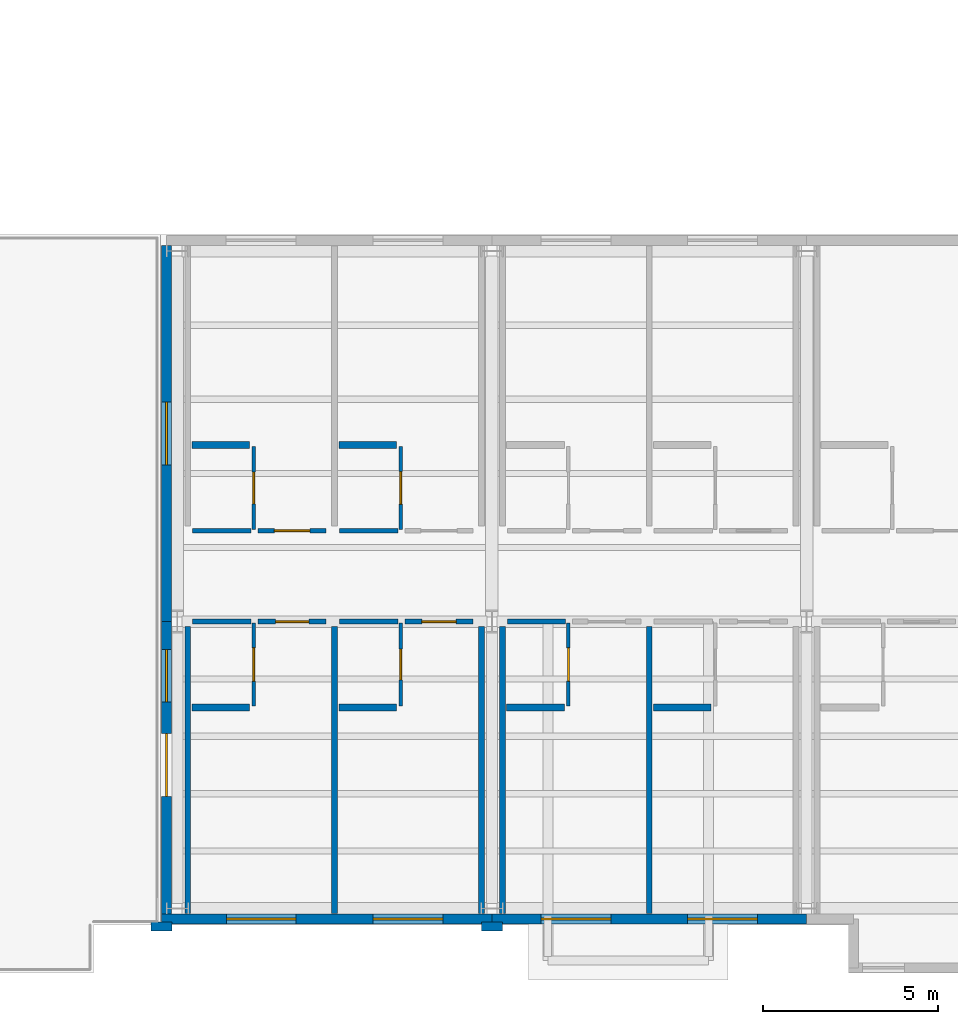
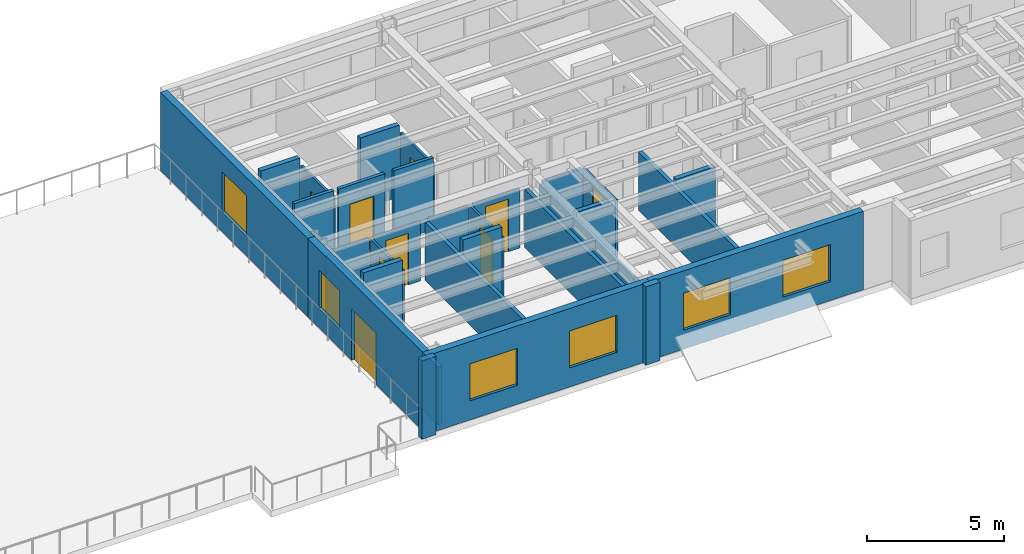
# One storey, part 9 of 23: 30 walls, 9 doors, 6 windows, 15 openings.
"""IFC4 building model written with IfcOpenShell, lengths in metres."""

from ifc_helpers import new_model, si_unit, direction, frame, frame_2d, origin, place, context, subcontext, project, spatial, rectangle, extrude, material, layer, layer_set, type_object, element, fill, save


model = new_model("IFC4")

# Units and contexts
model_context = context("Model", 3, precision=1e-05, world=origin(), true_north=direction((0.0, 1.0)))
body_context = subcontext(model_context, "Body", "Model", "MODEL_VIEW")
ifc_project = project(units=[si_unit("LENGTHUNIT", "METRE"), si_unit("AREAUNIT", "SQUARE_METRE"), si_unit("VOLUMEUNIT", "CUBIC_METRE"), si_unit("PLANEANGLEUNIT", "RADIAN"), si_unit("MASSUNIT", "GRAM", prefix="KILO")], contexts=[model_context])

# Site, building, storey
site_placement = place(None, origin())
site = spatial("IfcSite", under=ifc_project, at=site_placement, CompositionType="ELEMENT")
building_placement = place(site_placement, origin())
building = spatial("IfcBuilding", under=site, at=building_placement, Name="Sollismere Congress Hotel", CompositionType="ELEMENT")
storey_placement = place(building_placement, frame((0.0, 0.0, 30.60009765625)))
storey = spatial("IfcBuildingStorey", under=building, at=storey_placement, Name="L07", CompositionType="ELEMENT", Elevation=30.60009765625)

# Wall, openings, windows
ifc_material_1 = material(Name="Colorado Buff Sandstone Rainscreen on Insulated Backup", Category="masonry")
ifc_layer_1 = layer(ifc_material_1, 0.284912109375, Name="Colorado Buff Sandstone Rainscreen on Insulated Backup")
ifc_layer_set_1 = layer_set([ifc_layer_1], Name="Colorado Buff Sandstone Rainscreen on Insulated Backup")
wall_type_1 = type_object("IfcWallType", Name="WL-EXT285", PredefinedType="STANDARD", material=ifc_layer_set_1)
wall_1_placement = place(storey_placement, frame((66.550048828125, -0.31005859375, 0.0), z_axis=(0.0, 0.0, 1.0), x_axis=(1.0, 0.0, 0.0)))
wall_1 = element("IfcWall", 1, at=wall_1_placement, inside=storey, type_object=wall_type_1, Name="Exterior wall EW-L07-737", PredefinedType="STANDARD", context=body_context, shape_type="SweptSolid", body=[
    extrude(rectangle(XDim=9.449951171875, YDim=0.284912109375, at=frame_2d((4.72509765625, 0.0))), origin(), (0.0, 0.0, 1.0), 3.5),
])
opening_1_placement = place(wall_1_placement, frame((1.85009765625, 0.0, 0.85009765625)))
opening_1 = element("IfcOpeningElement", 2, at=opening_1_placement, cuts=wall_1, Name="Opening W-L07-540", PredefinedType="OPENING", context=body_context, shape_type="SweptSolid", body=[
    extrude(rectangle(XDim=2.0, YDim=1.64990234375, at=frame_2d((1.0, 0.824951171875))), frame((0.0, 0.15234375, 0.0), z_axis=(0.0, -1.0, 0.0), x_axis=(1.0, 0.0, 0.0)), (0.0, 0.0, 1.0), 0.304931640625),
])
opening_2_placement = place(wall_1_placement, frame((6.050048828125, 0.0, 0.85009765625)))
opening_2 = element("IfcOpeningElement", 3, at=opening_2_placement, cuts=wall_1, Name="Opening W-L07-541", PredefinedType="OPENING", context=body_context, shape_type="SweptSolid", body=[
    extrude(rectangle(XDim=2.0, YDim=1.64990234375, at=frame_2d((1.0, 0.824951171875))), frame((0.0, 0.15234375, 0.0), z_axis=(0.0, -1.0, 0.0), x_axis=(1.0, 0.0, 0.0)), (0.0, 0.0, 1.0), 0.304931640625),
])
ifc_material_2 = material(Name="Thermally Broken Bronze Aluminum & Low-E Glass", Category="aluminium")
window_type_1 = type_object("IfcWindowType", Name="WN-P200x165", PartitioningType="SINGLE_PANEL", PredefinedType="WINDOW", material=ifc_material_2)
window_1_placement = place(opening_1_placement, origin())
window_1 = element("IfcWindow", 4, at=window_1_placement, inside=storey, type_object=window_type_1, Name="WIN-W-L07-540", OverallHeight=1.64990234375, OverallWidth=2.0, PartitioningType="SINGLE_PANEL", PredefinedType="WINDOW", context=body_context, shape_type="SweptSolid", body=[
    extrude(rectangle(XDim=2.0, YDim=1.64990234375, at=frame_2d((1.0, 0.824951171875))), frame((0.0, 0.030029296875, 0.0), z_axis=(0.0, -1.0, 0.0), x_axis=(1.0, 0.0, 0.0)), (0.0, 0.0, 1.0), 0.06005859375),
])
fill(opening_1, window_1)
window_2_placement = place(opening_2_placement, origin())
window_2 = element("IfcWindow", 5, at=window_2_placement, inside=storey, type_object=window_type_1, Name="WIN-W-L07-541", OverallHeight=1.64990234375, OverallWidth=2.0, PartitioningType="SINGLE_PANEL", PredefinedType="WINDOW", context=body_context, shape_type="SweptSolid", body=[
    extrude(rectangle(XDim=2.0, YDim=1.64990234375, at=frame_2d((1.0, 0.824951171875))), frame((0.0, 0.030029296875, 0.0), z_axis=(0.0, -1.0, 0.0), x_axis=(1.0, 0.0, 0.0)), (0.0, 0.0, 1.0), 0.06005859375),
])
fill(opening_2, window_2)

wall_2_placement = place(storey_placement, frame((76.0, -0.31005859375, 0.0), z_axis=(0.0, 0.0, 1.0), x_axis=(1.0, 0.0, 0.0)))
wall_2 = element("IfcWall", 6, at=wall_2_placement, inside=storey, type_object=wall_type_1, Name="Exterior wall EW-L07-739", PredefinedType="STANDARD", context=body_context, shape_type="SweptSolid", body=[
    extrude(rectangle(XDim=9.0, YDim=0.284912109375, at=frame_2d((4.5, 0.0))), origin(), (0.0, 0.0, 1.0), 3.5),
])
opening_3_placement = place(wall_2_placement, frame((1.39990234375, 0.0, 0.85009765625)))
opening_3 = element("IfcOpeningElement", 7, at=opening_3_placement, cuts=wall_2, Name="Opening W-L07-542", PredefinedType="OPENING", context=body_context, shape_type="SweptSolid", body=[
    extrude(rectangle(XDim=2.0, YDim=1.64990234375, at=frame_2d((1.0, 0.824951171875))), frame((0.0, 0.15234375, 0.0), z_axis=(0.0, -1.0, 0.0), x_axis=(1.0, 0.0, 0.0)), (0.0, 0.0, 1.0), 0.304931640625),
])
opening_4_placement = place(wall_2_placement, frame((5.60009765625, 0.0, 0.85009765625)))
opening_4 = element("IfcOpeningElement", 8, at=opening_4_placement, cuts=wall_2, Name="Opening W-L07-543", PredefinedType="OPENING", context=body_context, shape_type="SweptSolid", body=[
    extrude(rectangle(XDim=2.0, YDim=1.64990234375, at=frame_2d((1.0, 0.824951171875))), frame((0.0, 0.15234375, 0.0), z_axis=(0.0, -1.0, 0.0), x_axis=(1.0, 0.0, 0.0)), (0.0, 0.0, 1.0), 0.304931640625),
])
window_3_placement = place(opening_3_placement, origin())
window_3 = element("IfcWindow", 9, at=window_3_placement, inside=storey, type_object=window_type_1, Name="WIN-W-L07-542", OverallHeight=1.64990234375, OverallWidth=2.0, PartitioningType="SINGLE_PANEL", PredefinedType="WINDOW", context=body_context, shape_type="SweptSolid", body=[
    extrude(rectangle(XDim=2.0, YDim=1.64990234375, at=frame_2d((1.0, 0.824951171875))), frame((0.0, 0.030029296875, 0.0), z_axis=(0.0, -1.0, 0.0), x_axis=(1.0, 0.0, 0.0)), (0.0, 0.0, 1.0), 0.06005859375),
])
fill(opening_3, window_3)
window_4_placement = place(opening_4_placement, origin())
window_4 = element("IfcWindow", 10, at=window_4_placement, inside=storey, type_object=window_type_1, Name="WIN-W-L07-543", OverallHeight=1.64990234375, OverallWidth=2.0, PartitioningType="SINGLE_PANEL", PredefinedType="WINDOW", context=body_context, shape_type="SweptSolid", body=[
    extrude(rectangle(XDim=2.0, YDim=1.64990234375, at=frame_2d((1.0, 0.824951171875))), frame((0.0, 0.030029296875, 0.0), z_axis=(0.0, -1.0, 0.0), x_axis=(1.0, 0.0, 0.0)), (0.0, 0.0, 1.0), 0.06005859375),
])
fill(opening_4, window_4)

# Wall, openings, door, window
wall_3_placement = place(storey_placement, frame((66.68994140625, 8.199951171875, 0.0), z_axis=(0.0, 0.0, 1.0), x_axis=(0.0, -1.0, 0.0)))
wall_3 = element("IfcWall", 11, at=wall_3_placement, inside=storey, type_object=wall_type_1, Name="Exterior wall EW-L07-808", PredefinedType="STANDARD", context=body_context, shape_type="SweptSolid", body=[
    extrude(rectangle(XDim=8.365478515625, YDim=0.284912109375, at=frame_2d((4.1826171875, 0.0))), origin(), (0.0, 0.0, 1.0), 3.5),
])
opening_5_placement = place(wall_3_placement, frame((3.199951171875, 0.0, 0.0)))
opening_5 = element("IfcOpeningElement", 12, at=opening_5_placement, cuts=wall_3, Name="Opening D-L07-TRS", PredefinedType="OPENING", context=body_context, shape_type="SweptSolid", body=[
    extrude(rectangle(XDim=1.800048828125, YDim=2.300048828125, at=frame_2d((0.89990234375, 1.14990234375))), frame((0.0, 0.15234375, 0.0), z_axis=(0.0, -1.0, 0.0), x_axis=(1.0, 0.0, 0.0)), (0.0, 0.0, 1.0), 0.304931640625),
])
opening_6_placement = place(wall_3_placement, frame((0.800048828125, 0.0, 0.8798828125)))
opening_6 = element("IfcOpeningElement", 13, at=opening_6_placement, cuts=wall_3, Name="Opening W-L07-585", PredefinedType="OPENING", context=body_context, shape_type="SweptSolid", body=[
    extrude(rectangle(XDim=1.5, YDim=1.699951171875, at=frame_2d((0.75, 0.85009765625))), frame((0.0, 0.15234375, 0.0), z_axis=(0.0, -1.0, 0.0), x_axis=(1.0, 0.0, 0.0)), (0.0, 0.0, 1.0), 0.304931640625),
])
ifc_material_3 = material(Name="Thermally Broken Bronze-Anodized Aluminum & Laminated Glass", Category="aluminium")
door_type_1 = type_object("IfcDoorType", Name="DR-EX180", OperationType="DOUBLE_DOOR_SINGLE_SWING", PredefinedType="DOOR", material=ifc_material_3)
door_1_placement = place(opening_5_placement, frame((1.800048828125, 0.0, 0.0), z_axis=(0.0, 0.0, 1.0), x_axis=(-1.0, 0.0, 0.0)))
door_1 = element("IfcDoor", 14, at=door_1_placement, inside=storey, type_object=door_type_1, Name="DOR-D-L07-TRS", OperationType="DOUBLE_DOOR_SINGLE_SWING", OverallHeight=2.300048828125, OverallWidth=1.800048828125, PredefinedType="DOOR", context=body_context, shape_type="SweptSolid", body=[
    extrude(rectangle(XDim=1.800048828125, YDim=2.300048828125, at=frame_2d((0.89990234375, 1.14990234375))), frame((0.0, 0.02490234375, 0.0), z_axis=(0.0, -1.0, 0.0), x_axis=(1.0, 0.0, 0.0)), (0.0, 0.0, 1.0), 0.050048828125),
])
fill(opening_5, door_1)
window_type_2 = type_object("IfcWindowType", Name="WN-P150x170", PartitioningType="SINGLE_PANEL", PredefinedType="WINDOW", material=ifc_material_2)
window_5_placement = place(opening_6_placement, origin())
window_5 = element("IfcWindow", 15, at=window_5_placement, inside=storey, type_object=window_type_2, Name="WIN-W-L07-585", OverallHeight=1.699951171875, OverallWidth=1.5, PartitioningType="SINGLE_PANEL", PredefinedType="WINDOW", context=body_context, shape_type="SweptSolid", body=[
    extrude(rectangle(XDim=1.5, YDim=1.699951171875, at=frame_2d((0.75, 0.85009765625))), frame((0.0, 0.030029296875, 0.0), z_axis=(0.0, -1.0, 0.0), x_axis=(1.0, 0.0, 0.0)), (0.0, 0.0, 1.0), 0.06005859375),
])
fill(opening_6, window_5)

# Wall, opening, window
wall_4_placement = place(storey_placement, frame((66.68994140625, 18.965576171875, 0.0), z_axis=(0.0, 0.0, 1.0), x_axis=(0.0, -1.0, 0.0)))
wall_4 = element("IfcWall", 16, at=wall_4_placement, inside=storey, type_object=wall_type_1, Name="Exterior wall EW-L07-809", PredefinedType="STANDARD", context=body_context, shape_type="SweptSolid", body=[
    extrude(rectangle(XDim=10.765625, YDim=0.284912109375, at=frame_2d((5.3828125, 0.0))), origin(), (0.0, 0.0, 1.0), 3.5),
])
opening_7_placement = place(wall_4_placement, frame((4.482666015625, 0.0, 0.8798828125)))
opening_7 = element("IfcOpeningElement", 17, at=opening_7_placement, cuts=wall_4, Name="Opening W-L07-586", PredefinedType="OPENING", context=body_context, shape_type="SweptSolid", body=[
    extrude(rectangle(XDim=1.800048828125, YDim=1.800048828125, at=frame_2d((0.89990234375, 0.89990234375))), frame((0.0, 0.15234375, 0.0), z_axis=(0.0, -1.0, 0.0), x_axis=(1.0, 0.0, 0.0)), (0.0, 0.0, 1.0), 0.304931640625),
])
window_type_3 = type_object("IfcWindowType", Name="WN-P180x180", PartitioningType="SINGLE_PANEL", PredefinedType="WINDOW", material=ifc_material_2)
window_6_placement = place(opening_7_placement, origin())
window_6 = element("IfcWindow", 18, at=window_6_placement, inside=storey, type_object=window_type_3, Name="WIN-W-L07-586", OverallHeight=1.800048828125, OverallWidth=1.800048828125, PartitioningType="SINGLE_PANEL", PredefinedType="WINDOW", context=body_context, shape_type="SweptSolid", body=[
    extrude(rectangle(XDim=1.800048828125, YDim=1.800048828125, at=frame_2d((0.89990234375, 0.89990234375))), frame((0.0, 0.030029296875, 0.0), z_axis=(0.0, -1.0, 0.0), x_axis=(1.0, 0.0, 0.0)), (0.0, 0.0, 1.0), 0.06005859375),
])
fill(opening_7, window_6)

# Walls
ifc_material_4 = material(Name="Carved Travertine Pilaster & Frieze Assembly", Category="masonry")
ifc_layer_2 = layer(ifc_material_4, 0.260009765625, Name="Carved Travertine Pilaster & Frieze Assembly")
ifc_layer_set_2 = layer_set([ifc_layer_2], Name="Carved Travertine Pilaster & Frieze Assembly")
wall_type_2 = type_object("IfcWallType", Name="WL-PIL280", PredefinedType="ELEMENTEDWALL", material=ifc_layer_set_2)
for number, where, z_axis, x_axis, name in (
    (19, (66.25, -0.52001953125, 0.0), (0.0, 0.0, 1.0), (1.0, 0.0, 0.0), "Exterior wall EW-L07-738"),
    (20, (75.699951171875, -0.52001953125, 0.0), (0.0, 0.0, 1.0), (1.0, 0.0, 0.0), "Exterior wall EW-L07-740"),
):
    element("IfcWall", number, at=place(storey_placement, frame(where, z_axis=z_axis, x_axis=x_axis)), inside=storey, type_object=wall_type_2, Name=name, PredefinedType="ELEMENTEDWALL", context=body_context, shape_type="SweptSolid", body=[
        extrude(rectangle(XDim=0.60009765625, YDim=0.260009765625, at=frame_2d((0.300048828125, 0.0))), origin(), (0.0, 0.0, 1.0), 3.5),
    ])
ifc_material_5 = material(Name="Moisture-Resistant Shaft Gypsum Assembly")
ifc_layer_3 = layer(ifc_material_5, 0.199951171875, Name="Moisture-Resistant Shaft Gypsum Assembly")
ifc_layer_set_3 = layer_set([ifc_layer_3], Name="Moisture-Resistant Shaft Gypsum Assembly")
wall_type_3 = type_object("IfcWallType", Name="WL-PLM200", PredefinedType="PLUMBINGWALL", material=ifc_layer_set_3)
wall_5_placement = place(storey_placement, frame((67.419921875, 5.75, 0.0), z_axis=(0.0, 0.0, 1.0), x_axis=(1.0, 0.0, 0.0)))
element("IfcWall", 21, at=wall_5_placement, inside=storey, type_object=wall_type_3, Name="Interior wall IW-L07-2204", PredefinedType="PLUMBINGWALL", context=body_context, shape_type="SweptSolid", body=[
    extrude(rectangle(XDim=1.650146484375, YDim=0.199951171875, at=frame_2d((0.8251953125, 0.0))), origin(), (0.0, 0.0, 1.0), 3.199951171875),
])
wall_6_placement = place(storey_placement, frame((71.6201171875, 5.75, 0.0), z_axis=(0.0, 0.0, 1.0), x_axis=(1.0, 0.0, 0.0)))
element("IfcWall", 22, at=wall_6_placement, inside=storey, type_object=wall_type_3, Name="Interior wall IW-L07-2209", PredefinedType="PLUMBINGWALL", context=body_context, shape_type="SweptSolid", body=[
    extrude(rectangle(XDim=1.64990234375, YDim=0.199951171875, at=frame_2d((0.824951171875, 0.0))), origin(), (0.0, 0.0, 1.0), 3.199951171875),
])
wall_7_placement = place(storey_placement, frame((67.419921875, 13.25, 0.0), z_axis=(0.0, 0.0, 1.0), x_axis=(1.0, 0.0, 0.0)))
element("IfcWall", 23, at=wall_7_placement, inside=storey, type_object=wall_type_3, Name="Interior wall IW-L07-2215", PredefinedType="PLUMBINGWALL", context=body_context, shape_type="SweptSolid", body=[
    extrude(rectangle(XDim=1.650146484375, YDim=0.199951171875, at=frame_2d((0.8251953125, 0.0))), origin(), (0.0, 0.0, 1.0), 3.199951171875),
])
wall_8_placement = place(storey_placement, frame((71.6201171875, 13.25, 0.0), z_axis=(0.0, 0.0, 1.0), x_axis=(1.0, 0.0, 0.0)))
element("IfcWall", 24, at=wall_8_placement, inside=storey, type_object=wall_type_3, Name="Interior wall IW-L07-2220", PredefinedType="PLUMBINGWALL", context=body_context, shape_type="SweptSolid", body=[
    extrude(rectangle(XDim=1.64990234375, YDim=0.199951171875, at=frame_2d((0.824951171875, 0.0))), origin(), (0.0, 0.0, 1.0), 3.199951171875),
])
wall_9_placement = place(storey_placement, frame((76.419921875, 5.75, 0.0), z_axis=(0.0, 0.0, 1.0), x_axis=(1.0, 0.0, 0.0)))
element("IfcWall", 25, at=wall_9_placement, inside=storey, type_object=wall_type_3, Name="Interior wall IW-L07-2226", PredefinedType="PLUMBINGWALL", context=body_context, shape_type="SweptSolid", body=[
    extrude(rectangle(XDim=1.650146484375, YDim=0.199951171875, at=frame_2d((0.8251953125, 0.0))), origin(), (0.0, 0.0, 1.0), 2.7529296875),
])
wall_10_placement = place(storey_placement, frame((80.6201171875, 5.75, 0.0), z_axis=(0.0, 0.0, 1.0), x_axis=(1.0, 0.0, 0.0)))
element("IfcWall", 26, at=wall_10_placement, inside=storey, type_object=wall_type_3, Name="Interior wall IW-L07-2231", PredefinedType="PLUMBINGWALL", context=body_context, shape_type="SweptSolid", body=[
    extrude(rectangle(XDim=1.64990234375, YDim=0.199951171875, at=frame_2d((0.824951171875, 0.0))), origin(), (0.0, 0.0, 1.0), 2.7529296875),
])

# Wall, opening, door
ifc_material_6 = material(Name="Moisture-Resistant Gypsum Partition")
ifc_layer_4 = layer(ifc_material_6, 0.10009765625, Name="Moisture-Resistant Gypsum Partition")
ifc_layer_set_4 = layer_set([ifc_layer_4], Name="Moisture-Resistant Gypsum Partition")
wall_type_4 = type_object("IfcWallType", Name="WL-PRT100", PredefinedType="PARTITIONING", material=ifc_layer_set_4)
wall_11_placement = place(storey_placement, frame((69.18994140625, 5.7900390625, 0.0), z_axis=(0.0, 0.0, 1.0), x_axis=(0.0, 1.0, 0.0)))
wall_11 = element("IfcWall", 27, at=wall_11_placement, inside=storey, type_object=wall_type_4, Name="Interior wall IW-L07-2203", PredefinedType="PARTITIONING", context=body_context, shape_type="SweptSolid", body=[
    extrude(rectangle(XDim=2.369873046875, YDim=0.10009765625, at=frame_2d((1.18505859375, 0.0))), origin(), (0.0, 0.0, 1.0), 2.61279296875),
])
opening_8_placement = place(wall_11_placement, frame((0.7080078125, 0.0, 0.0)))
opening_8 = element("IfcOpeningElement", 28, at=opening_8_placement, cuts=wall_11, Name="Opening D-L07-0777", PredefinedType="OPENING", context=body_context, shape_type="SweptSolid", body=[
    extrude(rectangle(XDim=0.955078125, YDim=2.219970703125, at=frame_2d((0.4775390625, 1.10986328125))), frame((0.0, 0.06005859375, 0.0), z_axis=(0.0, -1.0, 0.0), x_axis=(1.0, 0.0, 0.0)), (0.0, 0.0, 1.0), 0.1201171875),
])
ifc_material_7 = material(Name="Moisture-Sealed Timber Bathroom Door", Category="wood")
door_type_2 = type_object("IfcDoorType", Name="DR-BT08", OperationType="NOTDEFINED", PredefinedType="DOOR", material=ifc_material_7)
door_2_placement = place(opening_8_placement, origin())
door_2 = element("IfcDoor", 29, at=door_2_placement, inside=storey, type_object=door_type_2, Name="En-suite bathroom door D-L07-0777", OperationType="SINGLE_SWING_RIGHT", OverallHeight=2.219970703125, OverallWidth=0.955078125, PredefinedType="DOOR", context=body_context, shape_type="SweptSolid", body=[
    extrude(rectangle(XDim=0.955078125, YDim=2.219970703125, at=frame_2d((0.4775390625, 1.10986328125))), frame((0.0, 0.02490234375, 0.0), z_axis=(0.0, -1.0, 0.0), x_axis=(1.0, 0.0, 0.0)), (0.0, 0.0, 1.0), 0.050048828125),
])
fill(opening_8, door_2)

wall_12_placement = place(storey_placement, frame((73.389892578125, 5.7900390625, 0.0), z_axis=(0.0, 0.0, 1.0), x_axis=(0.0, 1.0, 0.0)))
wall_12 = element("IfcWall", 30, at=wall_12_placement, inside=storey, type_object=wall_type_4, Name="Interior wall IW-L07-2208", PredefinedType="PARTITIONING", context=body_context, shape_type="SweptSolid", body=[
    extrude(rectangle(XDim=2.369873046875, YDim=0.10009765625, at=frame_2d((1.18505859375, 0.0))), origin(), (0.0, 0.0, 1.0), 2.61279296875),
])
opening_9_placement = place(wall_12_placement, frame((0.7451171875, 0.0, 0.0)))
opening_9 = element("IfcOpeningElement", 31, at=opening_9_placement, cuts=wall_12, Name="Opening D-L07-0779", PredefinedType="OPENING", context=body_context, shape_type="SweptSolid", body=[
    extrude(rectangle(XDim=0.8798828125, YDim=2.10009765625, at=frame_2d((0.43994140625, 1.050048828125))), frame((0.0, 0.06005859375, 0.0), z_axis=(0.0, -1.0, 0.0), x_axis=(1.0, 0.0, 0.0)), (0.0, 0.0, 1.0), 0.1201171875),
])
door_type_3 = type_object("IfcDoorType", Name="DR-BT01", OperationType="NOTDEFINED", PredefinedType="DOOR", material=ifc_material_7)
door_3_placement = place(opening_9_placement, origin())
door_3 = element("IfcDoor", 32, at=door_3_placement, inside=storey, type_object=door_type_3, Name="En-suite bathroom door D-L07-0779", OperationType="SINGLE_SWING_RIGHT", OverallHeight=2.10009765625, OverallWidth=0.8798828125, PredefinedType="DOOR", context=body_context, shape_type="SweptSolid", body=[
    extrude(rectangle(XDim=0.8798828125, YDim=2.10009765625, at=frame_2d((0.43994140625, 1.050048828125))), frame((0.0, 0.02490234375, 0.0), z_axis=(0.0, -1.0, 0.0), x_axis=(1.0, 0.0, 0.0)), (0.0, 0.0, 1.0), 0.050048828125),
])
fill(opening_9, door_3)

wall_13_placement = place(storey_placement, frame((69.18994140625, 10.840087890625, 0.0), z_axis=(0.0, 0.0, 1.0), x_axis=(0.0, 1.0, 0.0)))
wall_13 = element("IfcWall", 33, at=wall_13_placement, inside=storey, type_object=wall_type_4, Name="Interior wall IW-L07-2214", PredefinedType="PARTITIONING", context=body_context, shape_type="SweptSolid", body=[
    extrude(rectangle(XDim=2.369873046875, YDim=0.10009765625, at=frame_2d((1.18505859375, 0.0))), origin(), (0.0, 0.0, 1.0), 2.807861328125),
])
opening_10_placement = place(wall_13_placement, frame((0.73291015625, 0.0, 0.0)))
opening_10 = element("IfcOpeningElement", 34, at=opening_10_placement, cuts=wall_13, Name="Opening D-L07-0781", PredefinedType="OPENING", context=body_context, shape_type="SweptSolid", body=[
    extrude(rectangle(XDim=0.905029296875, YDim=2.10009765625, at=frame_2d((0.45263671875, 1.050048828125))), frame((0.0, 0.06005859375, 0.0), z_axis=(0.0, -1.0, 0.0), x_axis=(1.0, 0.0, 0.0)), (0.0, 0.0, 1.0), 0.1201171875),
])
door_type_4 = type_object("IfcDoorType", Name="DR-BT02", OperationType="NOTDEFINED", PredefinedType="DOOR", material=ifc_material_7)
door_4_placement = place(opening_10_placement, origin())
door_4 = element("IfcDoor", 35, at=door_4_placement, inside=storey, type_object=door_type_4, Name="En-suite bathroom door D-L07-0781", OperationType="SINGLE_SWING_RIGHT", OverallHeight=2.10009765625, OverallWidth=0.905029296875, PredefinedType="DOOR", context=body_context, shape_type="SweptSolid", body=[
    extrude(rectangle(XDim=0.905029296875, YDim=2.10009765625, at=frame_2d((0.45263671875, 1.050048828125))), frame((0.0, 0.02490234375, 0.0), z_axis=(0.0, -1.0, 0.0), x_axis=(1.0, 0.0, 0.0)), (0.0, 0.0, 1.0), 0.050048828125),
])
fill(opening_10, door_4)

wall_14_placement = place(storey_placement, frame((73.389892578125, 10.840087890625, 0.0), z_axis=(0.0, 0.0, 1.0), x_axis=(0.0, 1.0, 0.0)))
wall_14 = element("IfcWall", 36, at=wall_14_placement, inside=storey, type_object=wall_type_4, Name="Interior wall IW-L07-2219", PredefinedType="PARTITIONING", context=body_context, shape_type="SweptSolid", body=[
    extrude(rectangle(XDim=2.369873046875, YDim=0.10009765625, at=frame_2d((1.18505859375, 0.0))), origin(), (0.0, 0.0, 1.0), 2.807861328125),
])
opening_11_placement = place(wall_14_placement, frame((0.719970703125, 0.0, 0.0)))
opening_11 = element("IfcOpeningElement", 37, at=opening_11_placement, cuts=wall_14, Name="Opening D-L07-0783", PredefinedType="OPENING", context=body_context, shape_type="SweptSolid", body=[
    extrude(rectangle(XDim=0.929931640625, YDim=2.139892578125, at=frame_2d((0.46484375, 1.06982421875))), frame((0.0, 0.06005859375, 0.0), z_axis=(0.0, -1.0, 0.0), x_axis=(1.0, 0.0, 0.0)), (0.0, 0.0, 1.0), 0.1201171875),
])
door_type_5 = type_object("IfcDoorType", Name="DR-BT03", OperationType="NOTDEFINED", PredefinedType="DOOR", material=ifc_material_7)
door_5_placement = place(opening_11_placement, origin())
door_5 = element("IfcDoor", 38, at=door_5_placement, inside=storey, type_object=door_type_5, Name="En-suite bathroom door D-L07-0783", OperationType="SINGLE_SWING_RIGHT", OverallHeight=2.139892578125, OverallWidth=0.929931640625, PredefinedType="DOOR", context=body_context, shape_type="SweptSolid", body=[
    extrude(rectangle(XDim=0.929931640625, YDim=2.139892578125, at=frame_2d((0.46484375, 1.06982421875))), frame((0.0, 0.02490234375, 0.0), z_axis=(0.0, -1.0, 0.0), x_axis=(1.0, 0.0, 0.0)), (0.0, 0.0, 1.0), 0.050048828125),
])
fill(opening_11, door_5)

wall_15_placement = place(storey_placement, frame((78.18994140625, 5.7900390625, 0.0), z_axis=(0.0, 0.0, 1.0), x_axis=(0.0, 1.0, 0.0)))
wall_15 = element("IfcWall", 39, at=wall_15_placement, inside=storey, type_object=wall_type_4, Name="Interior wall IW-L07-2225", PredefinedType="PARTITIONING", context=body_context, shape_type="SweptSolid", body=[
    extrude(rectangle(XDim=2.369873046875, YDim=0.10009765625, at=frame_2d((1.18505859375, 0.0))), origin(), (0.0, 0.0, 1.0), 2.61279296875),
])
opening_12_placement = place(wall_15_placement, frame((0.7080078125, 0.0, 0.0)))
opening_12 = element("IfcOpeningElement", 40, at=opening_12_placement, cuts=wall_15, Name="Opening D-L07-0785", PredefinedType="OPENING", context=body_context, shape_type="SweptSolid", body=[
    extrude(rectangle(XDim=0.955078125, YDim=2.139892578125, at=frame_2d((0.4775390625, 1.06982421875))), frame((0.0, 0.06005859375, 0.0), z_axis=(0.0, -1.0, 0.0), x_axis=(1.0, 0.0, 0.0)), (0.0, 0.0, 1.0), 0.1201171875),
])
door_type_6 = type_object("IfcDoorType", Name="DR-BT04", OperationType="NOTDEFINED", PredefinedType="DOOR", material=ifc_material_7)
door_6_placement = place(opening_12_placement, origin())
door_6 = element("IfcDoor", 41, at=door_6_placement, inside=storey, type_object=door_type_6, Name="En-suite bathroom door D-L07-0785", OperationType="SINGLE_SWING_RIGHT", OverallHeight=2.139892578125, OverallWidth=0.955078125, PredefinedType="DOOR", context=body_context, shape_type="SweptSolid", body=[
    extrude(rectangle(XDim=0.955078125, YDim=2.139892578125, at=frame_2d((0.4775390625, 1.06982421875))), frame((0.0, 0.02490234375, 0.0), z_axis=(0.0, -1.0, 0.0), x_axis=(1.0, 0.0, 0.0)), (0.0, 0.0, 1.0), 0.050048828125),
])
fill(opening_12, door_6)

# Wall
ifc_material_8 = material(Name="Fire-Rated Gypsum Partition")
ifc_layer_5 = layer(ifc_material_8, 0.139892578125, Name="Fire-Rated Gypsum Partition")
ifc_layer_set_5 = layer_set([ifc_layer_5], Name="Fire-Rated Gypsum Partition")
wall_type_5 = type_object("IfcWallType", Name="WL-PRT140R", PredefinedType="PARTITIONING", material=ifc_layer_set_5)
wall_16_placement = place(storey_placement, frame((67.43994140625, 8.199951171875, 0.0), z_axis=(0.0, 0.0, 1.0), x_axis=(1.0, 0.0, 0.0)))
element("IfcWall", 42, at=wall_16_placement, inside=storey, type_object=wall_type_5, Name="Interior wall IW-L07-2199", PredefinedType="PARTITIONING", context=body_context, shape_type="SweptSolid", body=[
    extrude(rectangle(XDim=1.670166015625, YDim=0.139892578125, at=frame_2d((0.8349609375, 0.0))), origin(), (0.0, 0.0, 1.0), 2.61279296875),
])

# Wall, opening, door
wall_17_placement = place(storey_placement, frame((69.31005859375, 8.199951171875, 0.0), z_axis=(0.0, 0.0, 1.0), x_axis=(1.0, 0.0, 0.0)))
wall_17 = element("IfcWall", 43, at=wall_17_placement, inside=storey, type_object=wall_type_5, Name="Interior wall IW-L07-2200", PredefinedType="PARTITIONING", context=body_context, shape_type="SweptSolid", body=[
    extrude(rectangle(XDim=1.949951171875, YDim=0.139892578125, at=frame_2d((0.97509765625, 0.0))), origin(), (0.0, 0.0, 1.0), 2.61279296875),
])
opening_13_placement = place(wall_17_placement, frame((0.5, 0.0, 0.0)))
opening_13 = element("IfcOpeningElement", 44, at=opening_13_placement, cuts=wall_17, Name="Opening D-L07-0776", PredefinedType="OPENING", context=body_context, shape_type="SweptSolid", body=[
    extrude(rectangle(XDim=0.949951171875, YDim=2.300048828125, at=frame_2d((0.47509765625, 1.14990234375))), frame((0.0, 0.079833984375, 0.0), z_axis=(0.0, -1.0, 0.0), x_axis=(1.0, 0.0, 0.0)), (0.0, 0.0, 1.0), 0.159912109375),
])
ifc_material_9 = material(Name="Solid-Core Acoustic Walnut Guestroom Entry Door")
door_type_7 = type_object("IfcDoorType", Name="DR-KY08", OperationType="NOTDEFINED", PredefinedType="DOOR", material=ifc_material_9)
door_7_placement = place(opening_13_placement, origin())
door_7 = element("IfcDoor", 45, at=door_7_placement, inside=storey, type_object=door_type_7, Name="Hotel room entry door D-L07-0776", OperationType="SINGLE_SWING_LEFT", OverallHeight=2.300048828125, OverallWidth=0.949951171875, PredefinedType="DOOR", context=body_context, shape_type="SweptSolid", body=[
    extrude(rectangle(XDim=0.949951171875, YDim=2.300048828125, at=frame_2d((0.47509765625, 1.14990234375))), frame((0.0, 0.02490234375, 0.0), z_axis=(0.0, -1.0, 0.0), x_axis=(1.0, 0.0, 0.0)), (0.0, 0.0, 1.0), 0.050048828125),
])
fill(opening_13, door_7)

# Wall
wall_18_placement = place(storey_placement, frame((71.639892578125, 8.199951171875, 0.0), z_axis=(0.0, 0.0, 1.0), x_axis=(1.0, 0.0, 0.0)))
element("IfcWall", 46, at=wall_18_placement, inside=storey, type_object=wall_type_5, Name="Interior wall IW-L07-2205", PredefinedType="PARTITIONING", context=body_context, shape_type="SweptSolid", body=[
    extrude(rectangle(XDim=1.670166015625, YDim=0.139892578125, at=frame_2d((0.8349609375, 0.0))), origin(), (0.0, 0.0, 1.0), 2.61279296875),
])

# Wall, opening, door
wall_19_placement = place(storey_placement, frame((73.510009765625, 8.199951171875, 0.0), z_axis=(0.0, 0.0, 1.0), x_axis=(1.0, 0.0, 0.0)))
wall_19 = element("IfcWall", 47, at=wall_19_placement, inside=storey, type_object=wall_type_5, Name="Interior wall IW-L07-2206", PredefinedType="PARTITIONING", context=body_context, shape_type="SweptSolid", body=[
    extrude(rectangle(XDim=1.949951171875, YDim=0.139892578125, at=frame_2d((0.97509765625, 0.0))), origin(), (0.0, 0.0, 1.0), 2.61279296875),
])
opening_14_placement = place(wall_19_placement, frame((0.485107421875, 0.0, 0.0)))
opening_14 = element("IfcOpeningElement", 48, at=opening_14_placement, cuts=wall_19, Name="Opening D-L07-0778", PredefinedType="OPENING", context=body_context, shape_type="SweptSolid", body=[
    extrude(rectangle(XDim=0.97998046875, YDim=2.35009765625, at=frame_2d((0.489990234375, 1.175048828125))), frame((0.0, 0.079833984375, 0.0), z_axis=(0.0, -1.0, 0.0), x_axis=(1.0, 0.0, 0.0)), (0.0, 0.0, 1.0), 0.159912109375),
])
door_type_8 = type_object("IfcDoorType", Name="DR-KY09", OperationType="NOTDEFINED", PredefinedType="DOOR", material=ifc_material_9)
door_8_placement = place(opening_14_placement, origin())
door_8 = element("IfcDoor", 49, at=door_8_placement, inside=storey, type_object=door_type_8, Name="Hotel room entry door D-L07-0778", OperationType="SINGLE_SWING_LEFT", OverallHeight=2.35009765625, OverallWidth=0.97998046875, PredefinedType="DOOR", context=body_context, shape_type="SweptSolid", body=[
    extrude(rectangle(XDim=0.97998046875, YDim=2.35009765625, at=frame_2d((0.489990234375, 1.175048828125))), frame((0.0, 0.02490234375, 0.0), z_axis=(0.0, -1.0, 0.0), x_axis=(1.0, 0.0, 0.0)), (0.0, 0.0, 1.0), 0.050048828125),
])
fill(opening_14, door_8)

# Wall
wall_20_placement = place(storey_placement, frame((67.43994140625, 10.800048828125, 0.0), z_axis=(0.0, 0.0, 1.0), x_axis=(1.0, 0.0, 0.0)))
element("IfcWall", 50, at=wall_20_placement, inside=storey, type_object=wall_type_5, Name="Interior wall IW-L07-2210", PredefinedType="PARTITIONING", context=body_context, shape_type="SweptSolid", body=[
    extrude(rectangle(XDim=1.670166015625, YDim=0.139892578125, at=frame_2d((0.8349609375, 0.0))), origin(), (0.0, 0.0, 1.0), 3.199951171875),
])

# Wall, opening, door
wall_21_placement = place(storey_placement, frame((69.31005859375, 10.800048828125, 0.0), z_axis=(0.0, 0.0, 1.0), x_axis=(1.0, 0.0, 0.0)))
wall_21 = element("IfcWall", 51, at=wall_21_placement, inside=storey, type_object=wall_type_5, Name="Interior wall IW-L07-2211", PredefinedType="PARTITIONING", context=body_context, shape_type="SweptSolid", body=[
    extrude(rectangle(XDim=1.949951171875, YDim=0.139892578125, at=frame_2d((0.97509765625, 0.0))), origin(), (0.0, 0.0, 1.0), 3.199951171875),
])
opening_15_placement = place(wall_21_placement, frame((0.469970703125, 0.0, 0.0)))
opening_15 = element("IfcOpeningElement", 52, at=opening_15_placement, cuts=wall_21, Name="Opening D-L07-0780", PredefinedType="OPENING", context=body_context, shape_type="SweptSolid", body=[
    extrude(rectangle(XDim=1.010009765625, YDim=2.35009765625, at=frame_2d((0.5048828125, 1.175048828125))), frame((0.0, 0.079833984375, 0.0), z_axis=(0.0, -1.0, 0.0), x_axis=(1.0, 0.0, 0.0)), (0.0, 0.0, 1.0), 0.159912109375),
])
door_type_9 = type_object("IfcDoorType", Name="DR-KY10", OperationType="NOTDEFINED", PredefinedType="DOOR", material=ifc_material_9)
door_9_placement = place(opening_15_placement, origin())
door_9 = element("IfcDoor", 53, at=door_9_placement, inside=storey, type_object=door_type_9, Name="Hotel room entry door D-L07-0780", OperationType="SINGLE_SWING_LEFT", OverallHeight=2.35009765625, OverallWidth=1.010009765625, PredefinedType="DOOR", context=body_context, shape_type="SweptSolid", body=[
    extrude(rectangle(XDim=1.010009765625, YDim=2.35009765625, at=frame_2d((0.5048828125, 1.175048828125))), frame((0.0, 0.02490234375, 0.0), z_axis=(0.0, -1.0, 0.0), x_axis=(1.0, 0.0, 0.0)), (0.0, 0.0, 1.0), 0.050048828125),
])
fill(opening_15, door_9)

# Walls
wall_22_placement = place(storey_placement, frame((71.639892578125, 10.800048828125, 0.0), z_axis=(0.0, 0.0, 1.0), x_axis=(1.0, 0.0, 0.0)))
element("IfcWall", 54, at=wall_22_placement, inside=storey, type_object=wall_type_5, Name="Interior wall IW-L07-2216", PredefinedType="PARTITIONING", context=body_context, shape_type="SweptSolid", body=[
    extrude(rectangle(XDim=1.670166015625, YDim=0.139892578125, at=frame_2d((0.8349609375, 0.0))), origin(), (0.0, 0.0, 1.0), 3.199951171875),
])
wall_23_placement = place(storey_placement, frame((76.43994140625, 8.199951171875, 0.0), z_axis=(0.0, 0.0, 1.0), x_axis=(1.0, 0.0, 0.0)))
element("IfcWall", 55, at=wall_23_placement, inside=storey, type_object=wall_type_5, Name="Interior wall IW-L07-2221", PredefinedType="PARTITIONING", context=body_context, shape_type="SweptSolid", body=[
    extrude(rectangle(XDim=1.670166015625, YDim=0.139892578125, at=frame_2d((0.8349609375, 0.0))), origin(), (0.0, 0.0, 1.0), 2.61279296875),
])
ifc_material_10 = material(Name="Fire-Rated Acoustic Gypsum Partition")
ifc_layer_6 = layer(ifc_material_10, 0.1650390625, Name="Fire-Rated Acoustic Gypsum Partition")
ifc_layer_set_6 = layer_set([ifc_layer_6], Name="Fire-Rated Acoustic Gypsum Partition")
wall_type_6 = type_object("IfcWallType", Name="WL-PRT165R", PredefinedType="PARTITIONING", material=ifc_layer_set_6)
for number, where, z_axis, x_axis, name in (
    (56, (67.300048828125, -0.152587890625, 0.0), (0.0, 0.0, 1.0), (0.0, 1.0, 0.0), "Interior wall IW-L07-2201"),
    (57, (71.5, -0.152587890625, 0.0), (0.0, 0.0, 1.0), (0.0, 1.0, 0.0), "Interior wall IW-L07-2202"),
    (58, (75.699951171875, -0.152587890625, 0.0), (0.0, 0.0, 1.0), (0.0, 1.0, 0.0), "Interior wall IW-L07-2207"),
    (59, (76.300048828125, -0.152587890625, 0.0), (0.0, 0.0, 1.0), (0.0, 1.0, 0.0), "Interior wall IW-L07-2223"),
    (60, (80.5, -0.152587890625, 0.0), (0.0, 0.0, 1.0), (0.0, 1.0, 0.0), "Interior wall IW-L07-2224"),
):
    element("IfcWall", number, at=place(storey_placement, frame(where, z_axis=z_axis, x_axis=x_axis)), inside=storey, type_object=wall_type_6, Name=name, PredefinedType="PARTITIONING", context=body_context, shape_type="SweptSolid", body=[
        extrude(rectangle(XDim=8.212646484375, YDim=0.1650390625, at=frame_2d((4.1064453125, 0.0))), origin(), (0.0, 0.0, 1.0), 2.58984375),
    ])

save(model, "model.ifc")
